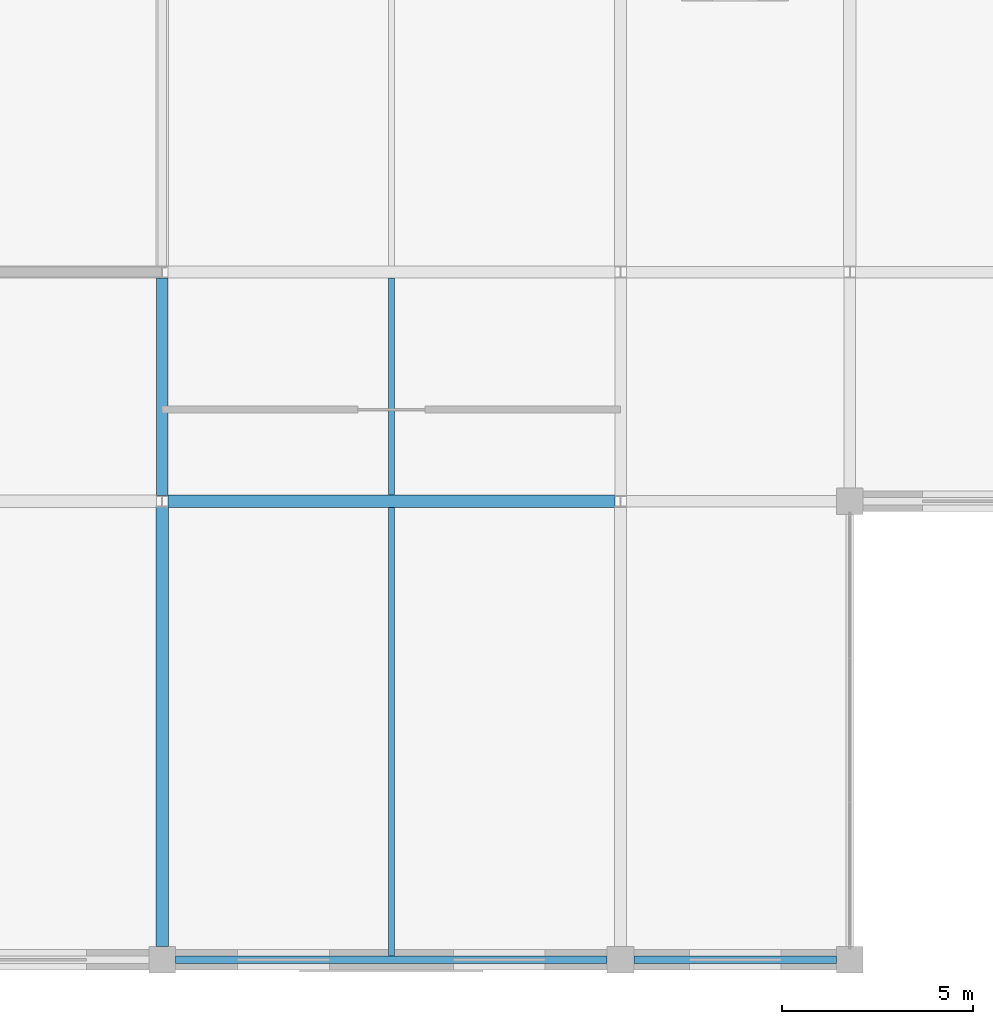
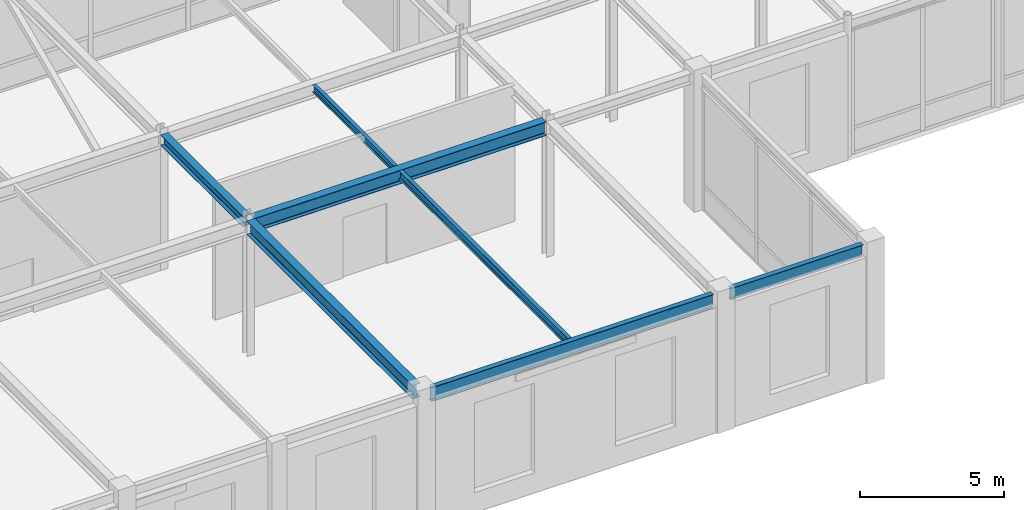
# One storey, part 32 of 108: 7 beams.
"""IFC4 building model written with IfcOpenShell, lengths in metres."""

from ifc_helpers import new_model, si_unit, direction, frame, origin, origin_2d, place, context, subcontext, project, spatial, i_section, extrude, material, material_profile, profile_set, type_object, element, save


model = new_model("IFC4")

# Units and contexts
model_context = context("Model", 3, precision=1e-05, world=origin(), true_north=direction((0.0, 1.0)))
body_context = subcontext(model_context, "Body", "Model", "MODEL_VIEW")
ifc_project = project(units=[si_unit("LENGTHUNIT", "METRE"), si_unit("AREAUNIT", "SQUARE_METRE"), si_unit("VOLUMEUNIT", "CUBIC_METRE"), si_unit("PLANEANGLEUNIT", "RADIAN"), si_unit("MASSUNIT", "GRAM", prefix="KILO")], contexts=[model_context])

# Site, building, storey
site_placement = place(None, origin())
site = spatial("IfcSite", under=ifc_project, at=site_placement, CompositionType="ELEMENT")
building_placement = place(site_placement, origin())
building = spatial("IfcBuilding", under=site, at=building_placement, Name="Zlatovratsky Civic Hall", CompositionType="ELEMENT")
storey_placement = place(building_placement, frame((0.0, 0.0, 6.0)))
storey = spatial("IfcBuildingStorey", under=building, at=storey_placement, Name="L02", CompositionType="ELEMENT", Elevation=6.0)

# Beams
ifc_material = material(Name="Steel S355", Category="steel")
ifc_material_profile_1 = material_profile(ifc_material, i_section(OverallWidth=0.320068359375, OverallDepth=0.58203125, WebThickness=0.011962890625, FlangeThickness=0.01708984375, FilletRadius=0.02392578125, at=origin_2d()), Name="60Sh1")
ifc_profile_set_1 = profile_set([ifc_material_profile_1], Name="Steel S355")
beam_type_1 = type_object("IfcBeamType", Name="Beam_PodiumGirder_60Sh1", PredefinedType="BEAM", material=ifc_profile_set_1)
beam_1_placement = place(storey_placement, frame((36.14990234375, 12.0, 5.468994140625), z_axis=(1.0, 0.0, 0.0), x_axis=(0.0, 1.0, 0.0)))
element("IfcBeam", 1, at=beam_1_placement, inside=storey, type_object=beam_type_1, Name="BM-1743", PredefinedType="BEAM", context=body_context, shape_type="SweptSolid", body=[
    extrude(i_section(OverallWidth=0.320068359375, OverallDepth=0.58203125, WebThickness=0.011962890625, FlangeThickness=0.01708984375, FilletRadius=0.02392578125, at=origin_2d()), origin(), (0.0, 0.0, 1.0), 11.7001953125),
])
beam_2_placement = place(storey_placement, frame((36.0, 0.35009765625, 5.468994140625), z_axis=(0.0, 1.0, 0.0), x_axis=(-1.0, 0.0, 0.0)))
element("IfcBeam", 2, at=beam_2_placement, inside=storey, type_object=beam_type_1, Name="BM-2119", PredefinedType="BEAM", context=body_context, shape_type="SweptSolid", body=[
    extrude(i_section(OverallWidth=0.320068359375, OverallDepth=0.58203125, WebThickness=0.011962890625, FlangeThickness=0.01708984375, FilletRadius=0.02392578125, at=origin_2d()), origin(), (0.0, 0.0, 1.0), 11.5),
])
ifc_material_profile_2 = material_profile(ifc_material, i_section(OverallWidth=0.198974609375, OverallDepth=0.491943359375, WebThickness=0.0087890625, FlangeThickness=0.011962890625, FilletRadius=0.01611328125, at=origin_2d()), Name="50B1")
ifc_profile_set_2 = profile_set([ifc_material_profile_2], Name="Steel S355")
beam_type_2 = type_object("IfcBeamType", Name="Beam_Spandrel_50B1", PredefinedType="SPANDREL", material=ifc_profile_set_2)
beam_3_placement = place(storey_placement, frame((48.35009765625, 0.0, 5.513916015625), z_axis=(1.0, 0.0, 0.0), x_axis=(0.0, 1.0, 0.0)))
element("IfcBeam", 3, at=beam_3_placement, inside=storey, type_object=beam_type_2, Name="BM-1732", PredefinedType="SPANDREL", context=body_context, shape_type="SweptSolid", body=[
    extrude(i_section(OverallWidth=0.198974609375, OverallDepth=0.491943359375, WebThickness=0.0087890625, FlangeThickness=0.011962890625, FilletRadius=0.01611328125, at=origin_2d()), origin(), (0.0, 0.0, 1.0), 5.2998046875),
])
ifc_material_profile_3 = material_profile(ifc_material, i_section(OverallWidth=0.198974609375, OverallDepth=0.593017578125, WebThickness=0.010498046875, FlangeThickness=0.014892578125, FilletRadius=0.01806640625, at=origin_2d()), Name="60B1")
ifc_profile_set_3 = profile_set([ifc_material_profile_3], Name="Steel S355")
beam_type_3 = type_object("IfcBeamType", Name="Beam_Spandrel_60B1", PredefinedType="SPANDREL", material=ifc_profile_set_3)
beam_4_placement = place(storey_placement, frame((36.35009765625, 0.0, 5.46337890625), z_axis=(1.0, 0.0, 0.0), x_axis=(0.0, 1.0, 0.0)))
element("IfcBeam", 4, at=beam_4_placement, inside=storey, type_object=beam_type_3, Name="BM-1731", PredefinedType="SPANDREL", context=body_context, shape_type="SweptSolid", body=[
    extrude(i_section(OverallWidth=0.198974609375, OverallDepth=0.593017578125, WebThickness=0.010498046875, FlangeThickness=0.014892578125, FilletRadius=0.01806640625, at=origin_2d()), origin(), (0.0, 0.0, 1.0), 11.2998046875),
])
ifc_material_profile_4 = material_profile(ifc_material, i_section(OverallWidth=0.300048828125, OverallDepth=0.43994140625, WebThickness=0.010986328125, FlangeThickness=0.01806640625, FilletRadius=0.02197265625, at=origin_2d()), Name="45Sh1")
ifc_profile_set_4 = profile_set([ifc_material_profile_4], Name="Steel S355")
beam_type_4 = type_object("IfcBeamType", Name="Beam_TowerLow_45Sh1", PredefinedType="BEAM", material=ifc_profile_set_4)
beam_5_placement = place(storey_placement, frame((36.0, 12.14990234375, 5.5400390625), z_axis=(0.0, 1.0, 0.0), x_axis=(-1.0, 0.0, 0.0)))
element("IfcBeam", 5, at=beam_5_placement, inside=storey, type_object=beam_type_4, Name="BM-2120", PredefinedType="BEAM", context=body_context, shape_type="SweptSolid", body=[
    extrude(i_section(OverallWidth=0.300048828125, OverallDepth=0.43994140625, WebThickness=0.010986328125, FlangeThickness=0.01806640625, FilletRadius=0.02197265625, at=origin_2d()), origin(), (0.0, 0.0, 1.0), 5.7001953125),
])
ifc_material_profile_5 = material_profile(ifc_material, i_section(OverallWidth=0.14990234375, OverallDepth=0.300048828125, WebThickness=0.006591796875, FlangeThickness=0.009033203125, FilletRadius=0.012939453125, at=origin_2d()), Name="30B2")
ifc_profile_set_5 = profile_set([ifc_material_profile_5], Name="Steel S355")
beam_type_5 = type_object("IfcBeamType", Name="Joist_Podium_30B2", PredefinedType="JOIST", material=ifc_profile_set_5)
beam_6_placement = place(storey_placement, frame((42.0, 12.159912109375, 5.610107421875), z_axis=(0.0, 1.0, 0.0), x_axis=(-1.0, 0.0, 0.0)))
element("IfcBeam", 6, at=beam_6_placement, inside=storey, type_object=beam_type_5, Name="BM-2397", PredefinedType="JOIST", context=body_context, shape_type="SweptSolid", body=[
    extrude(i_section(OverallWidth=0.14990234375, OverallDepth=0.300048828125, WebThickness=0.006591796875, FlangeThickness=0.009033203125, FilletRadius=0.012939453125, at=origin_2d()), origin(), (0.0, 0.0, 1.0), 5.68017578125),
])
ifc_material_profile_6 = material_profile(ifc_material, i_section(OverallWidth=0.155029296875, OverallDepth=0.345947265625, WebThickness=0.006103515625, FlangeThickness=0.008544921875, FilletRadius=0.013916015625, at=origin_2d()), Name="35B1")
ifc_profile_set_6 = profile_set([ifc_material_profile_6], Name="Steel S355")
beam_type_6 = type_object("IfcBeamType", Name="Joist_Podium_35B1", PredefinedType="JOIST", material=ifc_profile_set_6)
beam_7_placement = place(storey_placement, frame((42.0, 0.099609375, 5.5869140625), z_axis=(0.0, 1.0, 0.0), x_axis=(-1.0, 0.0, 0.0)))
element("IfcBeam", 7, at=beam_7_placement, inside=storey, type_object=beam_type_6, Name="BM-2391", PredefinedType="JOIST", context=body_context, shape_type="SweptSolid", body=[
    extrude(i_section(OverallWidth=0.155029296875, OverallDepth=0.345947265625, WebThickness=0.006103515625, FlangeThickness=0.008544921875, FilletRadius=0.013916015625, at=origin_2d()), origin(), (0.0, 0.0, 1.0), 11.740478515625),
])

save(model, "model.ifc")
